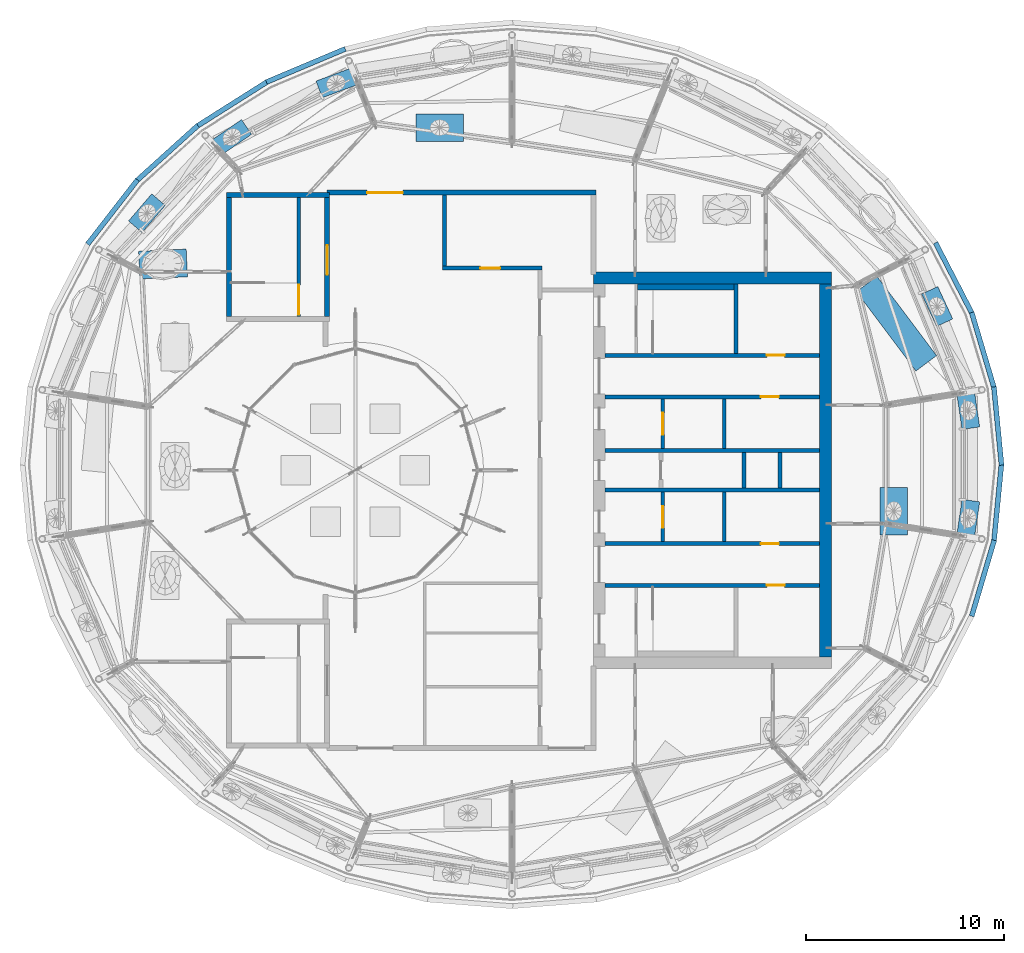
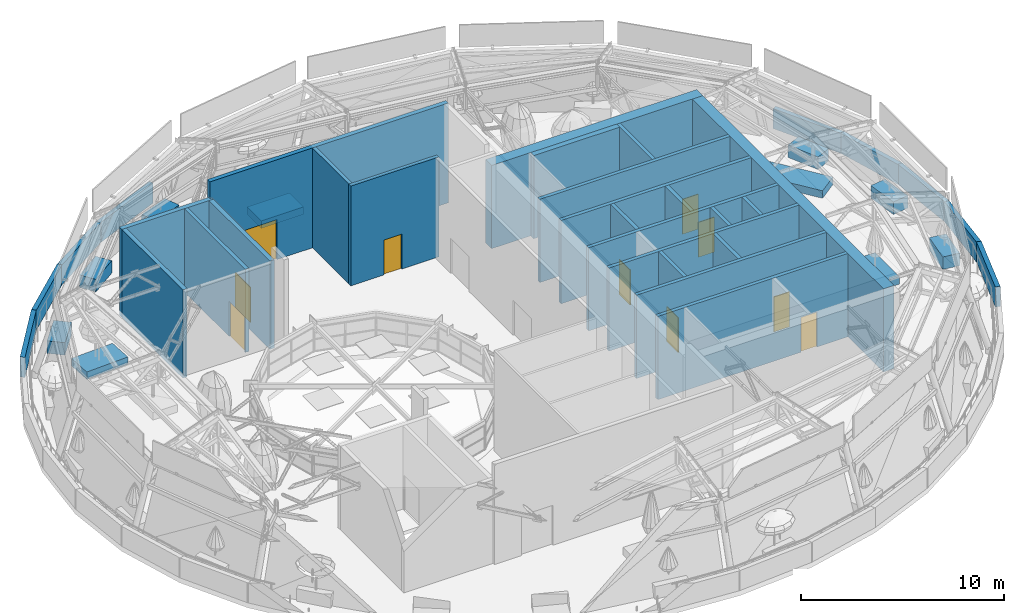
# One storey, part 18 of 40: 42 walls, 10 doors, 10 openings.
"""IFC4 building model written with IfcOpenShell, lengths in metres."""

from ifc_helpers import new_model, si_unit, direction, frame, frame_2d, origin, place, context, subcontext, project, spatial, rectangle, extrude, material, layer, layer_set, constituent, constituent_set, type_object, element, fill, save


model = new_model("IFC4")

# Units and contexts
model_context = context("Model", 3, precision=1e-05, world=origin(), true_north=direction((0.0, 1.0)))
body_context = subcontext(model_context, "Body", "Model", "MODEL_VIEW")
ifc_project = project(units=[si_unit("LENGTHUNIT", "METRE"), si_unit("AREAUNIT", "SQUARE_METRE"), si_unit("VOLUMEUNIT", "CUBIC_METRE"), si_unit("PLANEANGLEUNIT", "RADIAN"), si_unit("MASSUNIT", "GRAM", prefix="KILO")], contexts=[model_context])

# Site, building, storey
site_placement = place(None, origin())
site = spatial("IfcSite", under=ifc_project, at=site_placement, CompositionType="ELEMENT")
building_placement = place(site_placement, origin())
building = spatial("IfcBuilding", under=site, at=building_placement, Name="Taillehof Tower", CompositionType="ELEMENT")
storey_placement = place(building_placement, frame((0.0, 0.0, 275.199951171875)))
storey = spatial("IfcBuildingStorey", under=building, at=storey_placement, Name="L77", CompositionType="ELEMENT", Elevation=275.199951171875)

# Wall, opening, door
ifc_material_1 = material(Name="Calcium silicate blockwork", Category="masonry")
ifc_layer_1 = layer(ifc_material_1, 0.199951171875)
ifc_layer_set_1 = layer_set([ifc_layer_1], Name="Compartment wall EI 60 200 mm")
wall_type_1 = type_object("IfcWallType", Name="Compartment wall EI 60 200 mm", PredefinedType="PARTITIONING", material=ifc_layer_set_1)
wall_1_placement = place(storey_placement, frame((-3.60009765625, 10.199951171875, 0.0), z_axis=(0.0, 0.0, 1.0), x_axis=(1.0, 0.0, 0.0)))
wall_1 = element("IfcWall", 1, at=wall_1_placement, inside=storey, type_object=wall_type_1, Name="Wall L77-05 / L77-06", PredefinedType="PARTITIONING", context=body_context, shape_type="SweptSolid", body=[
    extrude(rectangle(XDim=5.0, YDim=0.199951171875, at=frame_2d((2.5, 0.0))), origin(), (0.0, 0.0, 1.0), 6.0),
])
opening_1_placement = place(wall_1_placement, frame((1.89990234375, 0.0, 0.0)))
opening_1 = element("IfcOpeningElement", 2, at=opening_1_placement, cuts=wall_1, Name="Opening D7748", PredefinedType="OPENING", context=body_context, shape_type="SweptSolid", body=[
    extrude(rectangle(XDim=1.0, YDim=2.10009765625, at=frame_2d((0.5, 1.050048828125))), frame((0.0, 0.10986328125, 0.0), z_axis=(0.0, -1.0, 0.0), x_axis=(1.0, 0.0, 0.0)), (0.0, 0.0, 1.0), 0.219970703125),
])
ifc_material_2 = material(Name="Hollow metal door set")
door_type_1 = type_object("IfcDoorType", Name="Single door 1000 x 2100 FD60S", OperationType="SINGLE_SWING_LEFT", PredefinedType="DOOR", material=ifc_material_2)
door_1_placement = place(opening_1_placement, origin())
door_1 = element("IfcDoor", 3, at=door_1_placement, inside=storey, type_object=door_type_1, Name="Door D7748", OperationType="SINGLE_SWING_LEFT", OverallHeight=2.10009765625, OverallWidth=1.0, PredefinedType="DOOR", context=body_context, shape_type="SweptSolid", body=[
    extrude(rectangle(XDim=1.0, YDim=2.10009765625, at=frame_2d((0.5, 1.050048828125))), frame((0.0, 0.02490234375, 0.0), z_axis=(0.0, -1.0, 0.0), x_axis=(1.0, 0.0, 0.0)), (0.0, 0.0, 1.0), 0.050048828125),
])
fill(opening_1, door_1)

# Walls
wall_2_placement = place(storey_placement, frame((-3.5, 10.300048828125, 0.0), z_axis=(0.0, 0.0, 1.0), x_axis=(0.0, 1.0, 0.0)))
element("IfcWall", 4, at=wall_2_placement, inside=storey, type_object=wall_type_1, Name="Wall L77-05 / L77-06", PredefinedType="PARTITIONING", context=body_context, shape_type="SweptSolid", body=[
    extrude(rectangle(XDim=3.574951171875, YDim=0.199951171875, at=frame_2d((1.78759765625, 0.0))), origin(), (0.0, 0.0, 1.0), 6.0),
])
ifc_material_3 = material(Name="Calcium silicate masonry", Category="masonry")
ifc_layer_2 = layer(ifc_material_3, 0.199951171875)
ifc_layer_set_2 = layer_set([ifc_layer_2], Name="Compartment wall calcium silicate 200")
wall_type_2 = type_object("IfcWallType", Name="Compartment wall calcium silicate 200", PredefinedType="PARTITIONING", material=ifc_layer_set_2)
for number, where, z_axis, x_axis, name in (
    (5, (11.60009765625, -0.89990234375, 0.0), (0.0, 0.0, 1.0), (0.0, 1.0, 0.0), "Compartment wall FW"),
    (6, (13.39990234375, -0.89990234375, 0.0), (0.0, 0.0, 1.0), (0.0, 1.0, 0.0), "Compartment wall FW"),
):
    element("IfcWall", number, at=place(storey_placement, frame(where, z_axis=z_axis, x_axis=x_axis)), inside=storey, type_object=wall_type_2, Name=name, PredefinedType="PARTITIONING", context=body_context, shape_type="SweptSolid", body=[
        extrude(rectangle(XDim=1.7998046875, YDim=0.199951171875, at=frame_2d((0.89990234375, 0.0))), origin(), (0.0, 0.0, 1.0), 5.0),
    ])
ifc_material_4 = material(Name="Calcium silicate masonry", Category="masonry")
ifc_layer_3 = layer(ifc_material_4, 0.300048828125)
ifc_layer_set_3 = layer_set([ifc_layer_3], Name="Compartment wall lining calcium silicate 300")
wall_type_3 = type_object("IfcWallType", Name="Compartment wall lining calcium silicate 300", PredefinedType="PARTITIONING", material=ifc_layer_set_3)
wall_3_placement = place(storey_placement, frame((6.219970703125, 9.25, 0.0), z_axis=(0.0, 0.0, 1.0), x_axis=(1.0, 0.0, 0.0)))
element("IfcWall", 7, at=wall_3_placement, inside=storey, type_object=wall_type_3, Name="Compartment wall FW", PredefinedType="PARTITIONING", context=body_context, shape_type="SweptSolid", body=[
    extrude(rectangle(XDim=4.880126953125, YDim=0.300048828125, at=frame_2d((2.43994140625, 0.0))), origin(), (0.0, 0.0, 1.0), 5.0),
])
ifc_material_5 = material(Name="Concrete C80/95", Category="concrete")
ifc_layer_4 = layer(ifc_material_5, 0.60009765625)
ifc_layer_set_4 = layer_set([ifc_layer_4], Name="Core wall C80/95 600")
wall_type_4 = type_object("IfcWallType", Name="Core wall C80/95 600", PredefinedType="SHEAR", material=ifc_layer_set_4)
wall_4_placement = place(storey_placement, frame((15.699951171875, -9.39990234375, 0.0), z_axis=(0.0, 0.0, 1.0), x_axis=(0.0, 1.0, 0.0)))
element("IfcWall", 8, at=wall_4_placement, inside=storey, type_object=wall_type_4, Name="Core wall CW05", PredefinedType="SHEAR", context=body_context, shape_type="SweptSolid", body=[
    extrude(rectangle(XDim=18.7998046875, YDim=0.60009765625, at=frame_2d((9.39990234375, 0.0))), origin(), (0.0, 0.0, 1.0), 5.0),
])
wall_5_placement = place(storey_placement, frame((4.0, 9.699951171875, 0.0), z_axis=(0.0, 0.0, 1.0), x_axis=(1.0, 0.0, 0.0)))
element("IfcWall", 9, at=wall_5_placement, inside=storey, type_object=wall_type_4, Name="Core wall CW06", PredefinedType="SHEAR", context=body_context, shape_type="SweptSolid", body=[
    extrude(rectangle(XDim=12.0, YDim=0.60009765625, at=frame_2d((6.0, 0.0))), origin(), (0.0, 0.0, 1.0), 5.0),
])

# Wall, opening, door
ifc_material_6 = material(Name="Calcium silicate blockwork", Category="masonry")
ifc_layer_5 = layer(ifc_material_6, 0.25)
ifc_layer_set_5 = layer_set([ifc_layer_5], Name="Fire-resisting wall EI 120 250 mm")
wall_type_5 = type_object("IfcWallType", Name="Fire-resisting wall EI 120 250 mm", PredefinedType="PARTITIONING", material=ifc_layer_set_5)
wall_6_placement = place(storey_placement, frame((-9.425048828125, 14.0, 0.0), z_axis=(0.0, 0.0, 1.0), x_axis=(1.0, 0.0, 0.0)))
wall_6 = element("IfcWall", 10, at=wall_6_placement, inside=storey, type_object=wall_type_5, Name="Wall L77-06 / TERR", PredefinedType="PARTITIONING", context=body_context, shape_type="SweptSolid", body=[
    extrude(rectangle(XDim=13.550048828125, YDim=0.25, at=frame_2d((6.77490234375, 0.0))), origin(), (0.0, 0.0, 1.0), 6.0),
])
opening_2_placement = place(wall_6_placement, frame((2.02490234375, 0.0, 0.0)))
opening_2 = element("IfcOpeningElement", 11, at=opening_2_placement, cuts=wall_6, Name="Opening D7749", PredefinedType="OPENING", context=body_context, shape_type="SweptSolid", body=[
    extrude(rectangle(XDim=1.800048828125, YDim=2.39990234375, at=frame_2d((0.89990234375, 1.199951171875))), frame((0.0, 0.135009765625, 0.0), z_axis=(0.0, -1.0, 0.0), x_axis=(1.0, 0.0, 0.0)), (0.0, 0.0, 1.0), 0.27001953125),
])
ifc_material_7 = material(Name="Glazed aluminium door set", Category="aluminium")
door_type_2 = type_object("IfcDoorType", Name="Glazed double door 1800 x 2400 FD120S", OperationType="DOUBLE_DOOR_SINGLE_SWING", PredefinedType="DOOR", material=ifc_material_7)
door_2_placement = place(opening_2_placement, origin())
door_2 = element("IfcDoor", 12, at=door_2_placement, inside=storey, type_object=door_type_2, Name="Door D7749", OperationType="DOUBLE_DOOR_SINGLE_SWING", OverallHeight=2.39990234375, OverallWidth=1.800048828125, PredefinedType="DOOR", context=body_context, shape_type="SweptSolid", body=[
    extrude(rectangle(XDim=1.800048828125, YDim=2.39990234375, at=frame_2d((0.89990234375, 1.199951171875))), frame((0.0, 0.02490234375, 0.0), z_axis=(0.0, -1.0, 0.0), x_axis=(1.0, 0.0, 0.0)), (0.0, 0.0, 1.0), 0.050048828125),
])
fill(opening_2, door_2)

# Walls
ifc_material_8 = material(Name="Concrete C30/37 precast", Category="concrete")
ifc_constituent_1 = constituent(ifc_material_8, Name="Structure", Category="concrete")
ifc_material_9 = material(Name="Insulated lining")
ifc_constituent_2 = constituent(ifc_material_9, Name="Lining")
ifc_constituent_set_1 = constituent_set(constituents=[ifc_constituent_1, ifc_constituent_2], Name="Ground-cover bed 1300x450")
wall_type_6 = type_object("IfcWallType", Name="Ground-cover bed 1300x450", PredefinedType="USERDEFINED", material=ifc_constituent_set_1)
wall_7_placement = place(storey_placement, frame((17.779296875, 9.394287109375, 0.0), z_axis=(0.0, 0.0, 1.0), x_axis=(0.600531112404, -0.799601390091, 0.0)))
element("IfcWall", 13, at=wall_7_placement, inside=storey, type_object=wall_type_6, Name="Ground-cover bed SGC03", ObjectType="PLANTER", PredefinedType="USERDEFINED", context=body_context, shape_type="SweptSolid", body=[
    extrude(rectangle(XDim=5.0, YDim=1.300048828125, at=frame_2d((2.5, 0.0))), origin(), (0.0, 0.0, 1.0), 0.449951171875),
])
ifc_material_10 = material(Name="Brick masonry", Category="masonry")
ifc_constituent_3 = constituent(ifc_material_10, Name="Wall", Category="masonry")
ifc_material_11 = material(Name="Concrete C30/37 precast", Category="concrete")
ifc_constituent_4 = constituent(ifc_material_11, Name="Coping", Category="concrete")
ifc_constituent_set_2 = constituent_set(constituents=[ifc_constituent_3, ifc_constituent_4], Name="Parapet 250")
wall_type_7 = type_object("IfcWallType", Name="Parapet 250", PredefinedType="PARAPET", material=ifc_constituent_set_2)
wall_8_placement = place(storey_placement, frame((24.57861328125, 0.258056640625, 0.0), z_axis=(0.0, 0.0, 1.0), x_axis=(-0.096475602898, 0.995335349541, 0.0)))
element("IfcWall", 14, at=wall_8_placement, inside=storey, type_object=wall_type_7, Name="Roof parapet 1", PredefinedType="PARAPET", context=body_context, shape_type="SweptSolid", body=[
    extrude(rectangle(XDim=3.968017578125, YDim=0.25, at=frame_2d((1.98388671875, 0.0))), origin(), (0.0, 0.0, 1.0), 1.199951171875),
])
wall_9_placement = place(storey_placement, frame((24.2119140625, 4.12548828125, 0.0), z_axis=(0.0, 0.0, 1.0), x_axis=(-0.284419225596, 0.95870000736, 0.0)))
element("IfcWall", 15, at=wall_9_placement, inside=storey, type_object=wall_type_7, Name="Roof parapet 2", PredefinedType="PARAPET", context=body_context, shape_type="SweptSolid", body=[
    extrude(rectangle(XDim=3.994140625, YDim=0.25, at=frame_2d((1.9970703125, 0.0))), origin(), (0.0, 0.0, 1.0), 1.199951171875),
])
wall_10_placement = place(storey_placement, frame((23.107177734375, 7.877197265625, 0.0), z_axis=(0.0, 0.0, 1.0), x_axis=(-0.458747525534, 0.888566659186, 0.0)))
element("IfcWall", 16, at=wall_10_placement, inside=storey, type_object=wall_type_7, Name="Roof parapet 3", PredefinedType="PARAPET", context=body_context, shape_type="SweptSolid", body=[
    extrude(rectangle(XDim=4.04248046875, YDim=0.25, at=frame_2d((2.021240234375, 0.0))), origin(), (0.0, 0.0, 1.0), 1.199951171875),
])
wall_11_placement = place(storey_placement, frame((-8.505859375, 21.24560546875, 0.0), z_axis=(0.0, 0.0, 1.0), x_axis=(-0.921578869706, -0.38819117315, 0.0)))
element("IfcWall", 17, at=wall_11_placement, inside=storey, type_object=wall_type_7, Name="Roof parapet 12", PredefinedType="PARAPET", context=body_context, shape_type="SweptSolid", body=[
    extrude(rectangle(XDim=4.311279296875, YDim=0.25, at=frame_2d((2.15576171875, 0.0))), origin(), (0.0, 0.0, 1.0), 1.199951171875),
])
wall_12_placement = place(storey_placement, frame((-12.40771484375, 19.609375, 0.0), z_axis=(0.0, 0.0, 1.0), x_axis=(-0.845162513097, -0.534509425975, 0.0)))
element("IfcWall", 18, at=wall_12_placement, inside=storey, type_object=wall_type_7, Name="Roof parapet 13", PredefinedType="PARAPET", context=body_context, shape_type="SweptSolid", body=[
    extrude(rectangle(XDim=4.25, YDim=0.25, at=frame_2d((2.125, 0.0))), origin(), (0.0, 0.0, 1.0), 1.199951171875),
])
wall_13_placement = place(storey_placement, frame((-15.93505859375, 17.38671875, 0.0), z_axis=(0.0, 0.0, 1.0), x_axis=(-0.742122328142, -0.670264462786, 0.0)))
element("IfcWall", 19, at=wall_13_placement, inside=storey, type_object=wall_type_7, Name="Roof parapet 14", PredefinedType="PARAPET", context=body_context, shape_type="SweptSolid", body=[
    extrude(rectangle(XDim=4.178955078125, YDim=0.25, at=frame_2d((2.08935546875, 0.0))), origin(), (0.0, 0.0, 1.0), 1.199951171875),
])
wall_14_placement = place(storey_placement, frame((-18.980712890625, 14.6455078125, 0.0), z_axis=(0.0, 0.0, 1.0), x_axis=(-0.612697000034, -0.790317901955, 0.0)))
element("IfcWall", 20, at=wall_14_placement, inside=storey, type_object=wall_type_7, Name="Roof parapet 15", PredefinedType="PARAPET", context=body_context, shape_type="SweptSolid", body=[
    extrude(rectangle(XDim=4.10693359375, YDim=0.25, at=frame_2d((2.053466796875, 0.0))), origin(), (0.0, 0.0, 1.0), 1.199951171875),
])
wall_15_placement = place(storey_placement, frame((23.075927734375, -7.3544921875, 0.0), z_axis=(0.0, 0.0, 1.0), x_axis=(0.284419225596, 0.95870000736, 0.0)))
element("IfcWall", 21, at=wall_15_placement, inside=storey, type_object=wall_type_7, Name="Roof parapet 35", PredefinedType="PARAPET", context=body_context, shape_type="SweptSolid", body=[
    extrude(rectangle(XDim=3.994140625, YDim=0.25, at=frame_2d((1.9970703125, 0.0))), origin(), (0.0, 0.0, 1.0), 1.199951171875),
])
wall_16_placement = place(storey_placement, frame((24.19580078125, -3.607421875, 0.0), z_axis=(0.0, 0.0, 1.0), x_axis=(0.096481511501, 0.995334776816, 0.0)))
element("IfcWall", 22, at=wall_16_placement, inside=storey, type_object=wall_type_7, Name="Roof parapet 36", PredefinedType="PARAPET", context=body_context, shape_type="SweptSolid", body=[
    extrude(rectangle(XDim=3.9677734375, YDim=0.25, at=frame_2d((1.98388671875, 0.0))), origin(), (0.0, 0.0, 1.0), 1.199951171875),
])
ifc_material_12 = material(Name="Concrete C30/37 precast", Category="concrete")
ifc_constituent_5 = constituent(ifc_material_12, Name="Structure", Category="concrete")
ifc_material_13 = material(Name="Insulated lining")
ifc_constituent_6 = constituent(ifc_material_13, Name="Lining")
ifc_constituent_set_3 = constituent_set(constituents=[ifc_constituent_5, ifc_constituent_6], Name="Raised tree bed 1400x450")
wall_type_8 = type_object("IfcWallType", Name="Raised tree bed 1400x450", PredefinedType="USERDEFINED", material=ifc_constituent_set_3)
wall_17_placement = place(storey_placement, frame((-18.890380859375, 10.343505859375, 0.0), z_axis=(0.0, 0.0, 1.0), x_axis=(0.998918878021, 0.046487365301, 0.0)))
element("IfcWall", 23, at=wall_17_placement, inside=storey, type_object=wall_type_8, Name="Raised tree bed SGB05", ObjectType="PLANTER", PredefinedType="USERDEFINED", context=body_context, shape_type="SweptSolid", body=[
    extrude(rectangle(XDim=2.400146484375, YDim=1.39990234375, at=frame_2d((1.2001953125, 0.0))), origin(), (0.0, 0.0, 1.0), 0.449951171875),
])
wall_18_placement = place(storey_placement, frame((19.14990234375, -3.25439453125, 0.0), z_axis=(0.0, 0.0, 1.0), x_axis=(0.0, 1.0, 0.0)))
element("IfcWall", 24, at=wall_18_placement, inside=storey, type_object=wall_type_8, Name="Raised tree bed SGB08", ObjectType="PLANTER", PredefinedType="USERDEFINED", context=body_context, shape_type="SweptSolid", body=[
    extrude(rectangle(XDim=2.39990234375, YDim=1.39990234375, at=frame_2d((1.199951171875, 0.0))), origin(), (0.0, 0.0, 1.0), 0.449951171875),
])
wall_19_placement = place(storey_placement, frame((-2.543701171875, 17.27490234375, 0.0), z_axis=(0.0, 0.0, 1.0), x_axis=(-1.0, 0.0, 0.0)))
element("IfcWall", 25, at=wall_19_placement, inside=storey, type_object=wall_type_8, Name="Raised tree bed SGB10", ObjectType="PLANTER", PredefinedType="USERDEFINED", context=body_context, shape_type="SweptSolid", body=[
    extrude(rectangle(XDim=2.400146484375, YDim=1.39990234375, at=frame_2d((1.2001953125, 0.0))), origin(), (0.0, 0.0, 1.0), 0.449951171875),
])
ifc_material_14 = material(Name="Concrete C30/37 precast", Category="concrete")
ifc_constituent_7 = constituent(ifc_material_14, Name="Structure", Category="concrete")
ifc_material_15 = material(Name="Insulated lining")
ifc_constituent_8 = constituent(ifc_material_15, Name="Lining")
ifc_constituent_set_4 = constituent_set(constituents=[ifc_constituent_7, ifc_constituent_8], Name="Roof planter 900x750")
wall_type_9 = type_object("IfcWallType", Name="Roof planter 900x750", PredefinedType="USERDEFINED", material=ifc_constituent_set_4)
for number, where, z_axis, x_axis, name in (
    (26, (23.0322265625, 2.12451171875, 0.0), (0.0, 0.0, 1.0), (-0.145255807596, 0.989394132972, 0.0), "Roof planter 1"),
    (27, (21.71142578125, 7.44287109375, 0.0), (0.0, 0.0, 1.0), (-0.419384998808, 0.907808472517, 0.0), "Roof planter 2"),
    (28, (-8.134521484375, 19.830078125, 0.0), (0.0, 0.0, 1.0), (-0.937439184, -0.348149071952, 0.0), "Roof planter 8"),
    (29, (-13.481689453125, 17.311767578125, 0.0), (0.0, 0.0, 1.0), (-0.823950894112, -0.566661207506, 0.0), "Roof planter 9"),
):
    element("IfcWall", number, at=place(storey_placement, frame(where, z_axis=z_axis, x_axis=x_axis)), inside=storey, type_object=wall_type_9, Name=name, ObjectType="PLANTER", PredefinedType="USERDEFINED", context=body_context, shape_type="SweptSolid", body=[
        extrude(rectangle(XDim=1.800048828125, YDim=0.89990234375, at=frame_2d((0.89990234375, 0.0))), origin(), (0.0, 0.0, 1.0), 0.75),
    ])
wall_20_placement = place(storey_placement, frame((-17.920654296875, 13.64599609375, 0.0), z_axis=(0.0, 0.0, 1.0), x_axis=(-0.650255036817, -0.759715991075, 0.0)))
element("IfcWall", 30, at=wall_20_placement, inside=storey, type_object=wall_type_9, Name="Roof planter 10", ObjectType="PLANTER", PredefinedType="USERDEFINED", context=body_context, shape_type="SweptSolid", body=[
    extrude(rectangle(XDim=1.7998046875, YDim=0.89990234375, at=frame_2d((0.89990234375, 0.0))), origin(), (0.0, 0.0, 1.0), 0.75),
])
wall_21_placement = place(storey_placement, frame((22.770751953125, -3.305419921875, 0.0), z_axis=(0.0, 0.0, 1.0), x_axis=(0.145255807596, 0.989394132972, 0.0)))
element("IfcWall", 31, at=wall_21_placement, inside=storey, type_object=wall_type_9, Name="Roof planter 24", ObjectType="PLANTER", PredefinedType="USERDEFINED", context=body_context, shape_type="SweptSolid", body=[
    extrude(rectangle(XDim=1.800048828125, YDim=0.89990234375, at=frame_2d((0.89990234375, 0.0))), origin(), (0.0, 0.0, 1.0), 0.75),
])

# Wall, opening, door
ifc_material_16 = material(Name="Concrete C50/60", Category="concrete")
ifc_layer_6 = layer(ifc_material_16, 0.199951171875)
ifc_layer_set_6 = layer_set([ifc_layer_6], Name="Shaft wall C50/60 200")
wall_type_10 = type_object("IfcWallType", Name="Shaft wall C50/60 200", PredefinedType="SHEAR", material=ifc_layer_set_6)
wall_22_placement = place(storey_placement, frame((4.60009765625, 5.800048828125, 0.0), z_axis=(0.0, 0.0, 1.0), x_axis=(1.0, 0.0, 0.0)))
wall_22 = element("IfcWall", 32, at=wall_22_placement, inside=storey, type_object=wall_type_10, Name="Shaft wall SW", PredefinedType="SHEAR", context=body_context, shape_type="SweptSolid", body=[
    extrude(rectangle(XDim=10.7998046875, YDim=0.199951171875, at=frame_2d((5.39990234375, 0.0))), origin(), (0.0, 0.0, 1.0), 5.0),
])
opening_3_placement = place(wall_22_placement, frame((8.14990234375, 0.0, 0.0)))
opening_3 = element("IfcOpeningElement", 33, at=opening_3_placement, cuts=wall_22, Name="Opening D7712", PredefinedType="OPENING", context=body_context, shape_type="SweptSolid", body=[
    extrude(rectangle(XDim=0.89990234375, YDim=2.10009765625, at=frame_2d((0.449951171875, 1.050048828125))), frame((0.0, 0.10986328125, 0.0), z_axis=(0.0, -1.0, 0.0), x_axis=(1.0, 0.0, 0.0)), (0.0, 0.0, 1.0), 0.219970703125),
])
ifc_material_17 = material(Name="Steel-faced fire door", Category="steel")
door_type_3 = type_object("IfcDoorType", Name="Riser and service room door 900x2100", OperationType="SINGLE_SWING_LEFT", PredefinedType="DOOR", material=ifc_material_17)
door_3_placement = place(opening_3_placement, origin())
door_3 = element("IfcDoor", 34, at=door_3_placement, inside=storey, type_object=door_type_3, Name="Door Fire Safety Store", OperationType="SINGLE_SWING_LEFT", OverallHeight=2.10009765625, OverallWidth=0.89990234375, PredefinedType="DOOR", context=body_context, shape_type="SweptSolid", body=[
    extrude(rectangle(XDim=0.89990234375, YDim=2.10009765625, at=frame_2d((0.449951171875, 1.050048828125))), frame((0.0, 0.02490234375, 0.0), z_axis=(0.0, -1.0, 0.0), x_axis=(1.0, 0.0, 0.0)), (0.0, 0.0, 1.0), 0.050048828125),
])
fill(opening_3, door_3)

wall_23_placement = place(storey_placement, frame((4.60009765625, 3.699951171875, 0.0), z_axis=(0.0, 0.0, 1.0), x_axis=(1.0, 0.0, 0.0)))
wall_23 = element("IfcWall", 35, at=wall_23_placement, inside=storey, type_object=wall_type_10, Name="Shaft wall SW", PredefinedType="SHEAR", context=body_context, shape_type="SweptSolid", body=[
    extrude(rectangle(XDim=10.7998046875, YDim=0.199951171875, at=frame_2d((5.39990234375, 0.0))), origin(), (0.0, 0.0, 1.0), 5.0),
])
opening_4_placement = place(wall_23_placement, frame((7.85009765625, 0.0, 0.0)))
opening_4 = element("IfcOpeningElement", 36, at=opening_4_placement, cuts=wall_23, Name="Opening D7713", PredefinedType="OPENING", context=body_context, shape_type="SweptSolid", body=[
    extrude(rectangle(XDim=0.89990234375, YDim=2.10009765625, at=frame_2d((0.449951171875, 1.050048828125))), frame((0.0, 0.10986328125, 0.0), z_axis=(0.0, -1.0, 0.0), x_axis=(1.0, 0.0, 0.0)), (0.0, 0.0, 1.0), 0.219970703125),
])
door_4_placement = place(opening_4_placement, origin())
door_4 = element("IfcDoor", 37, at=door_4_placement, inside=storey, type_object=door_type_3, Name="Door Comms Room", OperationType="SINGLE_SWING_RIGHT", OverallHeight=2.10009765625, OverallWidth=0.89990234375, PredefinedType="DOOR", context=body_context, shape_type="SweptSolid", body=[
    extrude(rectangle(XDim=0.89990234375, YDim=2.10009765625, at=frame_2d((0.449951171875, 1.050048828125))), frame((0.0, 0.02490234375, 0.0), z_axis=(0.0, -1.0, 0.0), x_axis=(1.0, 0.0, 0.0)), (0.0, 0.0, 1.0), 0.050048828125),
])
fill(opening_4, door_4)

# Walls
for number, where, z_axis, x_axis, name in (
    (38, (4.60009765625, 1.0, 0.0), (0.0, 0.0, 1.0), (1.0, 0.0, 0.0), "Shaft wall SW"),
    (39, (4.60009765625, -1.0, 0.0), (0.0, 0.0, 1.0), (1.0, 0.0, 0.0), "Shaft wall SW"),
):
    element("IfcWall", number, at=place(storey_placement, frame(where, z_axis=z_axis, x_axis=x_axis)), inside=storey, type_object=wall_type_10, Name=name, PredefinedType="SHEAR", context=body_context, shape_type="SweptSolid", body=[
        extrude(rectangle(XDim=10.7998046875, YDim=0.199951171875, at=frame_2d((5.39990234375, 0.0))), origin(), (0.0, 0.0, 1.0), 5.0),
    ])

# Wall, opening, door
wall_24_placement = place(storey_placement, frame((4.60009765625, -3.699951171875, 0.0), z_axis=(0.0, 0.0, 1.0), x_axis=(1.0, 0.0, 0.0)))
wall_24 = element("IfcWall", 40, at=wall_24_placement, inside=storey, type_object=wall_type_10, Name="Shaft wall SW", PredefinedType="SHEAR", context=body_context, shape_type="SweptSolid", body=[
    extrude(rectangle(XDim=10.7998046875, YDim=0.199951171875, at=frame_2d((5.39990234375, 0.0))), origin(), (0.0, 0.0, 1.0), 5.0),
])
opening_5_placement = place(wall_24_placement, frame((7.85009765625, 0.0, 0.0)))
opening_5 = element("IfcOpeningElement", 41, at=opening_5_placement, cuts=wall_24, Name="Opening D7714", PredefinedType="OPENING", context=body_context, shape_type="SweptSolid", body=[
    extrude(rectangle(XDim=0.89990234375, YDim=2.10009765625, at=frame_2d((0.449951171875, 1.050048828125))), frame((0.0, 0.10986328125, 0.0), z_axis=(0.0, -1.0, 0.0), x_axis=(1.0, 0.0, 0.0)), (0.0, 0.0, 1.0), 0.219970703125),
])
door_5_placement = place(opening_5_placement, origin())
door_5 = element("IfcDoor", 42, at=door_5_placement, inside=storey, type_object=door_type_3, Name="Door Bms Room", OperationType="SINGLE_SWING_LEFT", OverallHeight=2.10009765625, OverallWidth=0.89990234375, PredefinedType="DOOR", context=body_context, shape_type="SweptSolid", body=[
    extrude(rectangle(XDim=0.89990234375, YDim=2.10009765625, at=frame_2d((0.449951171875, 1.050048828125))), frame((0.0, 0.02490234375, 0.0), z_axis=(0.0, -1.0, 0.0), x_axis=(1.0, 0.0, 0.0)), (0.0, 0.0, 1.0), 0.050048828125),
])
fill(opening_5, door_5)

wall_25_placement = place(storey_placement, frame((4.60009765625, -5.800048828125, 0.0), z_axis=(0.0, 0.0, 1.0), x_axis=(1.0, 0.0, 0.0)))
wall_25 = element("IfcWall", 43, at=wall_25_placement, inside=storey, type_object=wall_type_10, Name="Shaft wall SW", PredefinedType="SHEAR", context=body_context, shape_type="SweptSolid", body=[
    extrude(rectangle(XDim=10.7998046875, YDim=0.199951171875, at=frame_2d((5.39990234375, 0.0))), origin(), (0.0, 0.0, 1.0), 5.0),
])
opening_6_placement = place(wall_25_placement, frame((8.14990234375, 0.0, 0.0)))
opening_6 = element("IfcOpeningElement", 44, at=opening_6_placement, cuts=wall_25, Name="Opening D7715", PredefinedType="OPENING", context=body_context, shape_type="SweptSolid", body=[
    extrude(rectangle(XDim=0.89990234375, YDim=2.10009765625, at=frame_2d((0.449951171875, 1.050048828125))), frame((0.0, 0.10986328125, 0.0), z_axis=(0.0, -1.0, 0.0), x_axis=(1.0, 0.0, 0.0)), (0.0, 0.0, 1.0), 0.219970703125),
])
door_6_placement = place(opening_6_placement, origin())
door_6 = element("IfcDoor", 45, at=door_6_placement, inside=storey, type_object=door_type_3, Name="Door Staff Pantry", OperationType="SINGLE_SWING_RIGHT", OverallHeight=2.10009765625, OverallWidth=0.89990234375, PredefinedType="DOOR", context=body_context, shape_type="SweptSolid", body=[
    extrude(rectangle(XDim=0.89990234375, YDim=2.10009765625, at=frame_2d((0.449951171875, 1.050048828125))), frame((0.0, 0.02490234375, 0.0), z_axis=(0.0, -1.0, 0.0), x_axis=(1.0, 0.0, 0.0)), (0.0, 0.0, 1.0), 0.050048828125),
])
fill(opening_6, door_6)

# Wall
wall_26_placement = place(storey_placement, frame((11.199951171875, 5.89990234375, 0.0), z_axis=(0.0, 0.0, 1.0), x_axis=(0.0, 1.0, 0.0)))
element("IfcWall", 46, at=wall_26_placement, inside=storey, type_object=wall_type_10, Name="Shaft wall SW", PredefinedType="SHEAR", context=body_context, shape_type="SweptSolid", body=[
    extrude(rectangle(XDim=3.5, YDim=0.199951171875, at=frame_2d((1.75, 0.0))), origin(), (0.0, 0.0, 1.0), 5.0),
])

# Wall, opening, door
wall_27_placement = place(storey_placement, frame((7.5, 1.10009765625, 0.0), z_axis=(0.0, 0.0, 1.0), x_axis=(0.0, 1.0, 0.0)))
wall_27 = element("IfcWall", 47, at=wall_27_placement, inside=storey, type_object=wall_type_10, Name="Shaft wall SW", PredefinedType="SHEAR", context=body_context, shape_type="SweptSolid", body=[
    extrude(rectangle(XDim=2.5, YDim=0.199951171875, at=frame_2d((1.25, 0.0))), origin(), (0.0, 0.0, 1.0), 5.0),
])
opening_7_placement = place(wall_27_placement, frame((0.699951171875, 0.0, 0.0)))
opening_7 = element("IfcOpeningElement", 48, at=opening_7_placement, cuts=wall_27, Name="Opening LD1", PredefinedType="OPENING", context=body_context, shape_type="SweptSolid", body=[
    extrude(rectangle(XDim=1.10009765625, YDim=2.10009765625, at=frame_2d((0.550048828125, 1.050048828125))), frame((0.0, 0.10986328125, 0.0), z_axis=(0.0, -1.0, 0.0), x_axis=(1.0, 0.0, 0.0)), (0.0, 0.0, 1.0), 0.219970703125),
])
ifc_material_18 = material(Name="Stainless steel", Category="steel")
door_type_4 = type_object("IfcDoorType", Name="Lift landing door LD1 1100x2100", OperationType="DOUBLE_DOOR_SLIDING", PredefinedType="DOOR", material=ifc_material_18)
door_7_placement = place(opening_7_placement, origin())
door_7 = element("IfcDoor", 49, at=door_7_placement, inside=storey, type_object=door_type_4, Name="Landing door FF1", OperationType="DOUBLE_DOOR_SLIDING", OverallHeight=2.10009765625, OverallWidth=1.10009765625, PredefinedType="DOOR", context=body_context, shape_type="SweptSolid", body=[
    extrude(rectangle(XDim=1.10009765625, YDim=2.10009765625, at=frame_2d((0.550048828125, 1.050048828125))), frame((0.0, 0.02490234375, 0.0), z_axis=(0.0, -1.0, 0.0), x_axis=(1.0, 0.0, 0.0)), (0.0, 0.0, 1.0), 0.050048828125),
])
fill(opening_7, door_7)

wall_28_placement = place(storey_placement, frame((7.5, -3.60009765625, 0.0), z_axis=(0.0, 0.0, 1.0), x_axis=(0.0, 1.0, 0.0)))
wall_28 = element("IfcWall", 50, at=wall_28_placement, inside=storey, type_object=wall_type_10, Name="Shaft wall SW", PredefinedType="SHEAR", context=body_context, shape_type="SweptSolid", body=[
    extrude(rectangle(XDim=2.5, YDim=0.199951171875, at=frame_2d((1.25, 0.0))), origin(), (0.0, 0.0, 1.0), 5.0),
])
opening_8_placement = place(wall_28_placement, frame((0.699951171875, 0.0, 0.0)))
opening_8 = element("IfcOpeningElement", 51, at=opening_8_placement, cuts=wall_28, Name="Opening LD1", PredefinedType="OPENING", context=body_context, shape_type="SweptSolid", body=[
    extrude(rectangle(XDim=1.10009765625, YDim=2.10009765625, at=frame_2d((0.550048828125, 1.050048828125))), frame((0.0, 0.10986328125, 0.0), z_axis=(0.0, -1.0, 0.0), x_axis=(1.0, 0.0, 0.0)), (0.0, 0.0, 1.0), 0.219970703125),
])
door_8_placement = place(opening_8_placement, origin())
door_8 = element("IfcDoor", 52, at=door_8_placement, inside=storey, type_object=door_type_4, Name="Landing door FF2", OperationType="DOUBLE_DOOR_SLIDING", OverallHeight=2.10009765625, OverallWidth=1.10009765625, PredefinedType="DOOR", context=body_context, shape_type="SweptSolid", body=[
    extrude(rectangle(XDim=1.10009765625, YDim=2.10009765625, at=frame_2d((0.550048828125, 1.050048828125))), frame((0.0, 0.02490234375, 0.0), z_axis=(0.0, -1.0, 0.0), x_axis=(1.0, 0.0, 0.0)), (0.0, 0.0, 1.0), 0.050048828125),
])
fill(opening_8, door_8)

# Walls
for number, where, z_axis, x_axis, name in (
    (53, (10.60009765625, 1.10009765625, 0.0), (0.0, 0.0, 1.0), (0.0, 1.0, 0.0), "Shaft wall SW"),
    (54, (10.60009765625, -3.60009765625, 0.0), (0.0, 0.0, 1.0), (0.0, 1.0, 0.0), "Shaft wall SW"),
):
    element("IfcWall", number, at=place(storey_placement, frame(where, z_axis=z_axis, x_axis=x_axis)), inside=storey, type_object=wall_type_10, Name=name, PredefinedType="SHEAR", context=body_context, shape_type="SweptSolid", body=[
        extrude(rectangle(XDim=2.5, YDim=0.199951171875, at=frame_2d((1.25, 0.0))), origin(), (0.0, 0.0, 1.0), 5.0),
    ])

# Wall, opening, door
wall_29_placement = place(storey_placement, frame((-10.85009765625, 7.75, 0.0), z_axis=(0.0, 0.0, 1.0), x_axis=(0.0, 1.0, 0.0)))
wall_29 = element("IfcWall", 55, at=wall_29_placement, inside=storey, type_object=wall_type_10, Name="Shaft wall SW", PredefinedType="SHEAR", context=body_context, shape_type="SweptSolid", body=[
    extrude(rectangle(XDim=6.0, YDim=0.199951171875, at=frame_2d((3.0, 0.0))), origin(), (0.0, 0.0, 1.0), 5.0),
])
opening_9_placement = place(wall_29_placement, frame((0.10009765625, 0.0, 0.0)))
opening_9 = element("IfcOpeningElement", 56, at=opening_9_placement, cuts=wall_29, Name="Opening D7710", PredefinedType="OPENING", context=body_context, shape_type="SweptSolid", body=[
    extrude(rectangle(XDim=1.5, YDim=2.10009765625, at=frame_2d((0.75, 1.050048828125))), frame((0.0, 0.10986328125, 0.0), z_axis=(0.0, -1.0, 0.0), x_axis=(1.0, 0.0, 0.0)), (0.0, 0.0, 1.0), 0.219970703125),
])
ifc_material_19 = material(Name="Steel-faced fire door", Category="steel")
door_type_5 = type_object("IfcDoorType", Name="Stair door 1500x2100", OperationType="DOUBLE_DOOR_SINGLE_SWING", PredefinedType="DOOR", material=ifc_material_19)
door_9_placement = place(opening_9_placement, origin())
door_9 = element("IfcDoor", 57, at=door_9_placement, inside=storey, type_object=door_type_5, Name="Stair lobby door S3", OperationType="DOUBLE_DOOR_SINGLE_SWING", OverallHeight=2.10009765625, OverallWidth=1.5, PredefinedType="DOOR", context=body_context, shape_type="SweptSolid", body=[
    extrude(rectangle(XDim=1.5, YDim=2.10009765625, at=frame_2d((0.75, 1.050048828125))), frame((0.0, 0.02490234375, 0.0), z_axis=(0.0, -1.0, 0.0), x_axis=(1.0, 0.0, 0.0)), (0.0, 0.0, 1.0), 0.050048828125),
])
fill(opening_9, door_9)

# Wall
ifc_material_20 = material(Name="Concrete C50/60", Category="concrete")
ifc_layer_7 = layer(ifc_material_20, 0.25)
ifc_layer_set_7 = layer_set([ifc_layer_7], Name="Stair wall C50/60 250")
wall_type_11 = type_object("IfcWallType", Name="Stair wall C50/60 250", PredefinedType="SHEAR", material=ifc_layer_set_7)
wall_30_placement = place(storey_placement, frame((-14.375, 7.75, -0.300048828125), z_axis=(0.0, 0.0, 1.0), x_axis=(0.0, 1.0, 0.0)))
element("IfcWall", 58, at=wall_30_placement, inside=storey, type_object=wall_type_11, Name="Stair wall SC", PredefinedType="SHEAR", context=body_context, shape_type="SweptSolid", body=[
    extrude(rectangle(XDim=6.0, YDim=0.25, at=frame_2d((3.0, 0.0))), origin(), (0.0, 0.0, 1.0), 5.300048828125),
])

# Wall, opening, door
wall_31_placement = place(storey_placement, frame((-9.425048828125, 7.75, -0.300048828125), z_axis=(0.0, 0.0, 1.0), x_axis=(0.0, 1.0, 0.0)))
wall_31 = element("IfcWall", 59, at=wall_31_placement, inside=storey, type_object=wall_type_11, Name="Stair wall SC", PredefinedType="SHEAR", context=body_context, shape_type="SweptSolid", body=[
    extrude(rectangle(XDim=6.0, YDim=0.25, at=frame_2d((3.0, 0.0))), origin(), (0.0, 0.0, 1.0), 5.300048828125),
])
opening_10_placement = place(wall_31_placement, frame((2.10009765625, 0.0, 0.300048828125)))
opening_10 = element("IfcOpeningElement", 60, at=opening_10_placement, cuts=wall_31, Name="Opening D7717", PredefinedType="OPENING", context=body_context, shape_type="SweptSolid", body=[
    extrude(rectangle(XDim=1.5, YDim=2.10009765625, at=frame_2d((0.75, 1.050048828125))), frame((0.0, 0.135009765625, 0.0), z_axis=(0.0, -1.0, 0.0), x_axis=(1.0, 0.0, 0.0)), (0.0, 0.0, 1.0), 0.27001953125),
])
door_10_placement = place(opening_10_placement, origin())
door_10 = element("IfcDoor", 61, at=door_10_placement, inside=storey, type_object=door_type_5, Name="Stair door S3", OperationType="DOUBLE_DOOR_SINGLE_SWING", OverallHeight=2.10009765625, OverallWidth=1.5, PredefinedType="DOOR", context=body_context, shape_type="SweptSolid", body=[
    extrude(rectangle(XDim=1.5, YDim=2.10009765625, at=frame_2d((0.75, 1.050048828125))), frame((0.0, 0.02490234375, 0.0), z_axis=(0.0, -1.0, 0.0), x_axis=(1.0, 0.0, 0.0)), (0.0, 0.0, 1.0), 0.050048828125),
])
fill(opening_10, door_10)

# Wall
wall_32_placement = place(storey_placement, frame((-14.5, 13.875, -0.300048828125), z_axis=(0.0, 0.0, 1.0), x_axis=(1.0, 0.0, 0.0)))
element("IfcWall", 62, at=wall_32_placement, inside=storey, type_object=wall_type_11, Name="Stair wall SC", PredefinedType="SHEAR", context=body_context, shape_type="SweptSolid", body=[
    extrude(rectangle(XDim=5.199951171875, YDim=0.25, at=frame_2d((2.60009765625, 0.0))), origin(), (0.0, 0.0, 1.0), 5.300048828125),
])

save(model, "model.ifc")
